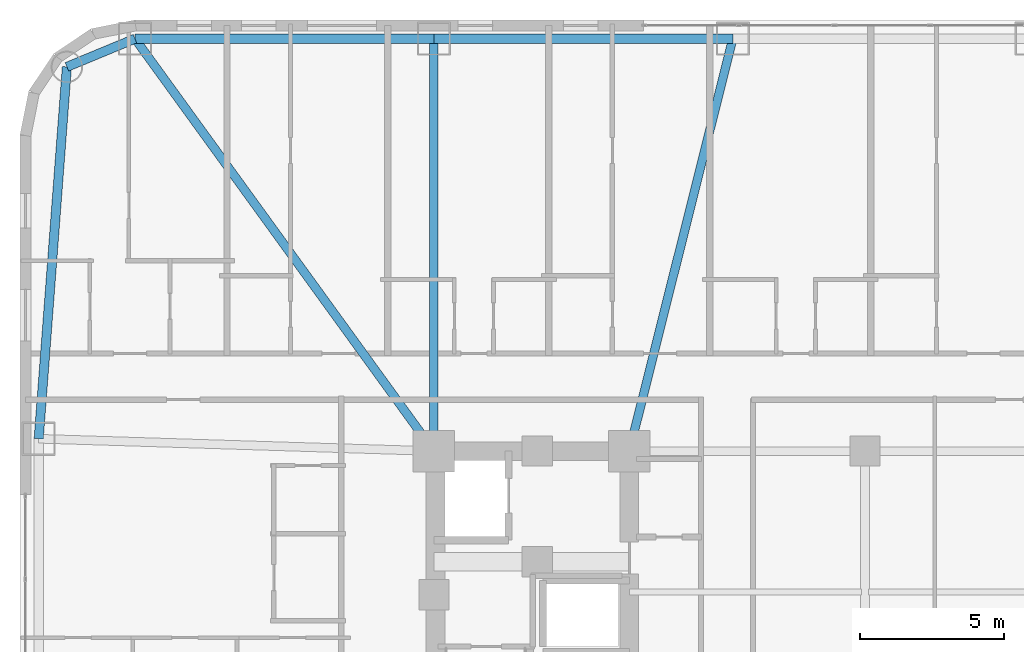
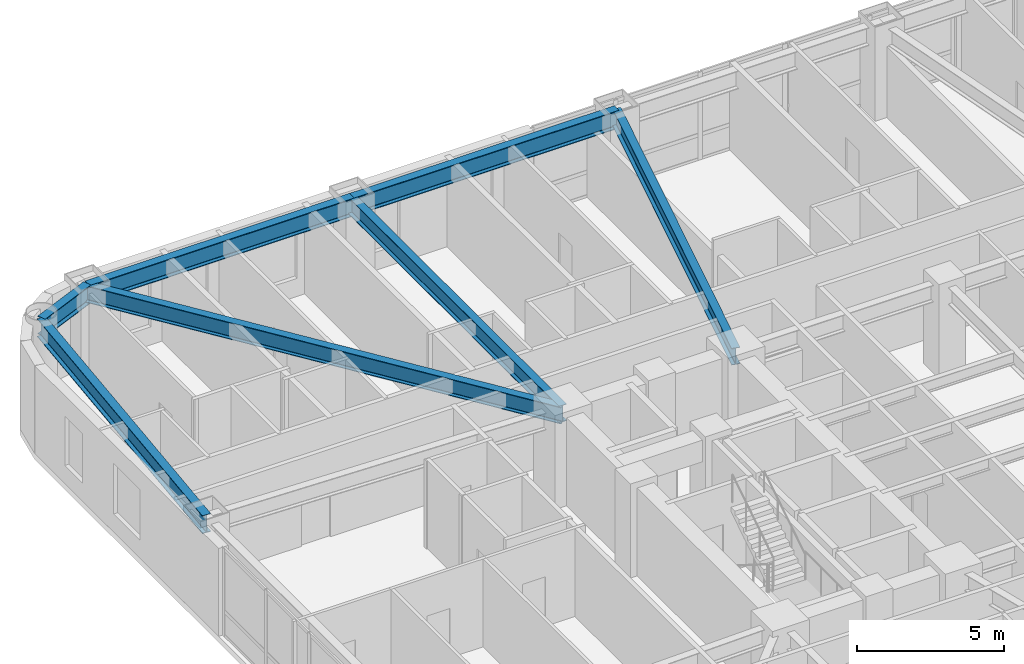
# One storey, part 15 of 28: 7 beams.
"""IFC4 building model written with IfcOpenShell, lengths in metres."""

from ifc_helpers import new_model, si_unit, direction, frame, origin, origin_2d, place, context, subcontext, project, spatial, i_section, extrude, material, material_profile, profile_set, type_object, element, save


model = new_model("IFC4")

# Units and contexts
model_context = context("Model", 3, precision=1e-05, world=origin(), true_north=direction((0.0, 1.0)))
body_context = subcontext(model_context, "Body", "Model", "MODEL_VIEW")
ifc_project = project(units=[si_unit("LENGTHUNIT", "METRE"), si_unit("AREAUNIT", "SQUARE_METRE"), si_unit("VOLUMEUNIT", "CUBIC_METRE"), si_unit("PLANEANGLEUNIT", "RADIAN"), si_unit("MASSUNIT", "GRAM", prefix="KILO")], contexts=[model_context])

# Site, building, storey
site_placement = place(None, origin())
site = spatial("IfcSite", under=ifc_project, at=site_placement, CompositionType="ELEMENT")
building_placement = place(site_placement, origin())
building = spatial("IfcBuilding", under=site, at=building_placement, Name="Voryun Gate Residences", CompositionType="ELEMENT")
storey_placement = place(building_placement, frame((0.0, 0.0, 61.10009765625)))
storey = spatial("IfcBuildingStorey", under=building, at=storey_placement, Name="L14", CompositionType="ELEMENT", Elevation=61.10009765625)

# Beams
ifc_material_1 = material(Name="Steel SM355", Category="steel")
ifc_material_profile_1 = material_profile(ifc_material_1, i_section(OverallWidth=0.320068359375, OverallDepth=0.75, WebThickness=0.01611328125, FlangeThickness=0.028076171875, FilletRadius=0.01806640625, at=origin_2d()), Name="H-750x320x16x28")
ifc_profile_set_1 = profile_set([ifc_material_profile_1], Name="Steel SM355")
beam_type_1 = type_object("IfcBeamType", Name="BM_EXO_SPANDREL_L", PredefinedType="SPANDREL", material=ifc_profile_set_1)
beam_1_placement = place(storey_placement, frame((-8.800048828125, 21.75, 3.27490234375), z_axis=(-1.0, 0.0, 0.0), x_axis=(0.0, -1.0, 0.0)))
element("IfcBeam", 1, at=beam_1_placement, inside=storey, type_object=beam_type_1, Name="BM-L14-SPAND-14", PredefinedType="SPANDREL", context=body_context, shape_type="SweptSolid", body=[
    extrude(i_section(OverallWidth=0.320068359375, OverallDepth=0.75, WebThickness=0.01611328125, FlangeThickness=0.028076171875, FilletRadius=0.01806640625, at=origin_2d()), origin(), (0.0, 0.0, 1.0), 10.39990234375),
])
beam_2_placement = place(storey_placement, frame((-19.199951171875, 21.75, 3.27490234375), z_axis=(-1.0, 0.0, 0.0), x_axis=(0.0, -1.0, 0.0)))
element("IfcBeam", 2, at=beam_2_placement, inside=storey, type_object=beam_type_1, Name="BM-L14-SPAND-15", PredefinedType="SPANDREL", context=body_context, shape_type="SweptSolid", body=[
    extrude(i_section(OverallWidth=0.320068359375, OverallDepth=0.75, WebThickness=0.01611328125, FlangeThickness=0.028076171875, FilletRadius=0.01806640625, at=origin_2d()), origin(), (0.0, 0.0, 1.0), 10.400146484375),
])
beam_3_placement = place(storey_placement, frame((-29.60009765625, 21.75, 3.27490234375), z_axis=(-0.92386943149, -0.382707817477, 0.0), x_axis=(0.382707817477, -0.92386943149, 0.0)))
element("IfcBeam", 3, at=beam_3_placement, inside=storey, type_object=beam_type_1, Name="BM-L14-SPAND-16", PredefinedType="SPANDREL", context=body_context, shape_type="SweptSolid", body=[
    extrude(i_section(OverallWidth=0.320068359375, OverallDepth=0.75, WebThickness=0.01611328125, FlangeThickness=0.028076171875, FilletRadius=0.01806640625, at=origin_2d()), origin(), (0.0, 0.0, 1.0), 2.563720703125),
])
beam_4_placement = place(storey_placement, frame((-31.96875, 20.768798828125, 3.27490234375), z_axis=(-0.075617360159, -0.997136908776, 0.0), x_axis=(0.997136908776, -0.075617360159, 0.0)))
element("IfcBeam", 4, at=beam_4_placement, inside=storey, type_object=beam_type_1, Name="BM-L14-SPAND-17", PredefinedType="SPANDREL", context=body_context, shape_type="SweptSolid", body=[
    extrude(i_section(OverallWidth=0.320068359375, OverallDepth=0.75, WebThickness=0.01611328125, FlangeThickness=0.028076171875, FilletRadius=0.01806640625, at=origin_2d()), origin(), (0.0, 0.0, 1.0), 12.975830078125),
])
ifc_material_2 = material(Name="Steel SM355", Category="steel")
ifc_material_profile_2 = material_profile(ifc_material_2, i_section(OverallWidth=0.300048828125, OverallDepth=0.699951171875, WebThickness=0.012939453125, FlangeThickness=0.02392578125, FilletRadius=0.01806640625, at=origin_2d()), Name="H-700x300x13x24")
ifc_profile_set_2 = profile_set([ifc_material_profile_2], Name="Steel SM355")
beam_type_2 = type_object("IfcBeamType", Name="BM_GIRD_700", PredefinedType="USERDEFINED", material=ifc_profile_set_2)
beam_5_placement = place(storey_placement, frame((-12.39990234375, 7.39990234375, 3.2998046875), z_axis=(0.243319869291, 0.969946102218, 0.0), x_axis=(-0.969946102218, 0.243319869291, 0.0)))
element("IfcBeam", 5, at=beam_5_placement, inside=storey, type_object=beam_type_2, Name="BM-L14-RAD-N4", ObjectType="GIRDER", PredefinedType="USERDEFINED", context=body_context, shape_type="SweptSolid", body=[
    extrude(i_section(OverallWidth=0.300048828125, OverallDepth=0.699951171875, WebThickness=0.012939453125, FlangeThickness=0.02392578125, FilletRadius=0.01806640625, at=origin_2d()), origin(), (0.0, 0.0, 1.0), 14.794677734375),
])
beam_6_placement = place(storey_placement, frame((-19.199951171875, 7.39990234375, 3.2998046875), z_axis=(0.0, 1.0, 0.0), x_axis=(-1.0, 0.0, 0.0)))
element("IfcBeam", 6, at=beam_6_placement, inside=storey, type_object=beam_type_2, Name="BM-L14-RAD-N5", ObjectType="GIRDER", PredefinedType="USERDEFINED", context=body_context, shape_type="SweptSolid", body=[
    extrude(i_section(OverallWidth=0.300048828125, OverallDepth=0.699951171875, WebThickness=0.012939453125, FlangeThickness=0.02392578125, FilletRadius=0.01806640625, at=origin_2d()), origin(), (0.0, 0.0, 1.0), 14.35009765625),
])
beam_7_placement = place(storey_placement, frame((-19.199951171875, 7.39990234375, 3.2998046875), z_axis=(-0.586831668391, 0.80970895572, 0.0), x_axis=(-0.80970895572, -0.586831668391, 0.0)))
element("IfcBeam", 7, at=beam_7_placement, inside=storey, type_object=beam_type_2, Name="BM-L14-RAD-N6", ObjectType="GIRDER", PredefinedType="USERDEFINED", context=body_context, shape_type="SweptSolid", body=[
    extrude(i_section(OverallWidth=0.300048828125, OverallDepth=0.699951171875, WebThickness=0.012939453125, FlangeThickness=0.02392578125, FilletRadius=0.01806640625, at=origin_2d()), origin(), (0.0, 0.0, 1.0), 17.72265625),
])

save(model, "model.ifc")
